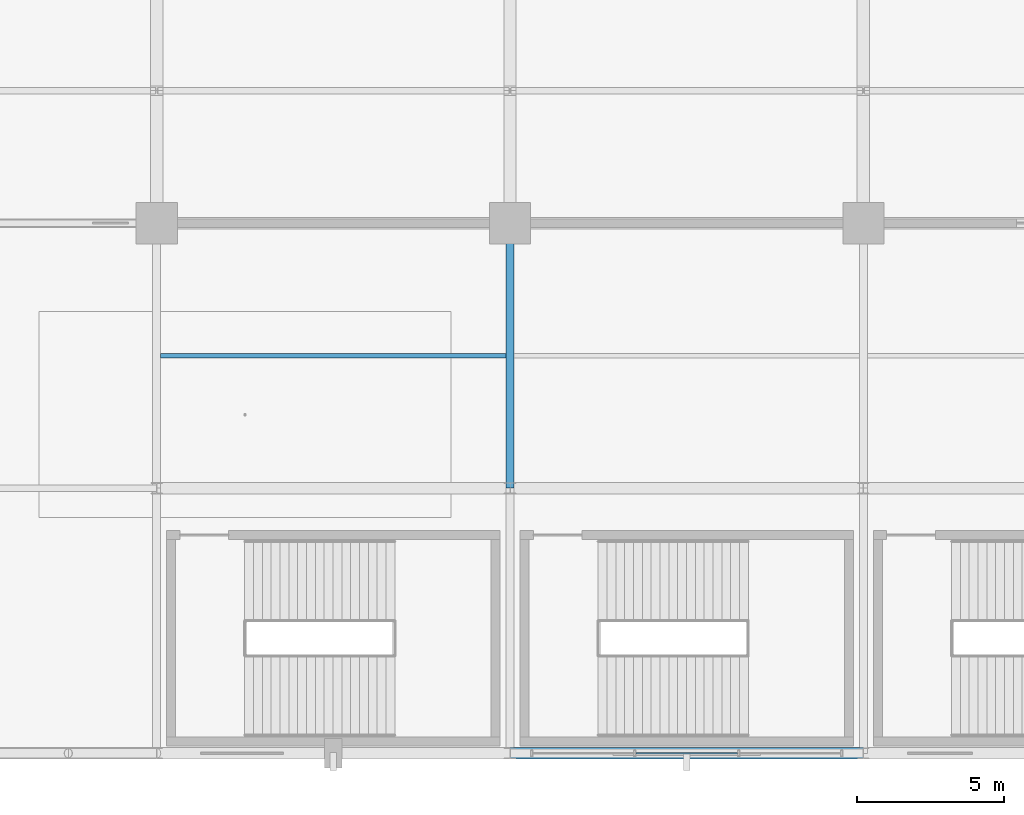
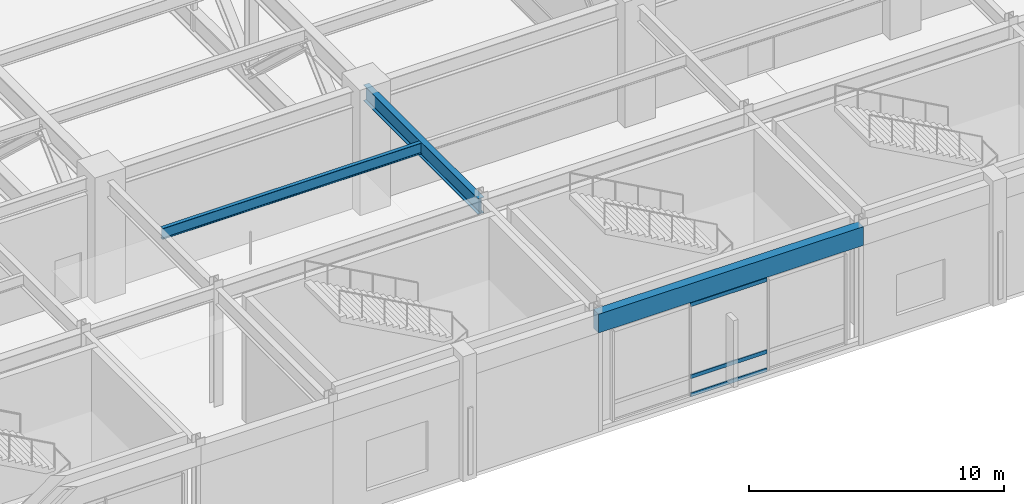
# One storey, part 23 of 108: 3 beams, 3 members, 1 element without a shape of its own.
"""IFC4 building model written with IfcOpenShell, lengths in metres."""

from ifc_helpers import new_model, si_unit, direction, frame, origin, origin_2d, place, context, subcontext, project, spatial, rectangle, hollow_rectangle, i_section, extrude, material, material_profile, profile_set, type_object, element, aggregate, save


model = new_model("IFC4")

# Units and contexts
model_context = context("Model", 3, precision=1e-05, world=origin(), true_north=direction((0.0, 1.0)))
body_context = subcontext(model_context, "Body", "Model", "MODEL_VIEW")
ifc_project = project(units=[si_unit("LENGTHUNIT", "METRE"), si_unit("AREAUNIT", "SQUARE_METRE"), si_unit("VOLUMEUNIT", "CUBIC_METRE"), si_unit("PLANEANGLEUNIT", "RADIAN"), si_unit("MASSUNIT", "GRAM", prefix="KILO")], contexts=[model_context])

# Site, building, storey
site_placement = place(None, origin())
site = spatial("IfcSite", under=ifc_project, at=site_placement, CompositionType="ELEMENT")
building_placement = place(site_placement, origin())
building = spatial("IfcBuilding", under=site, at=building_placement, Name="Kaldorvane Square Convention Centre", CompositionType="ELEMENT")
storey_placement = place(building_placement, frame((0.0, 0.0, 12.0)))
storey = spatial("IfcBuildingStorey", under=building, at=storey_placement, Name="L02", CompositionType="ELEMENT", Elevation=12.0)

# Beams
ifc_material_1 = material(Name="Steel ASTM A992 Gr. 50", Category="steel")
ifc_material_profile_1 = material_profile(ifc_material_1, i_section(OverallWidth=0.2666015625, OverallDepth=0.762298583984375, WebThickness=0.014404296875, FlangeThickness=0.0216064453125, FilletRadius=0.0164947509765625, at=origin_2d()), Name="W30X116")
ifc_profile_set_1 = profile_set([ifc_material_profile_1], Name="Steel ASTM A992 Gr. 50")
beam_type_1 = type_object("IfcBeamType", Name="BM-GR-W30X116", PredefinedType="BEAM", material=ifc_profile_set_1)
beam_1_placement = place(storey_placement, frame((42.0, 9.0, 5.264801025390625), z_axis=(0.0, 1.0, 0.0), x_axis=(-1.0, 0.0, 0.0)))
element("IfcBeam", 1, at=beam_1_placement, inside=storey, type_object=beam_type_1, Name="Transverse Girder (L02)", PredefinedType="BEAM", context=body_context, shape_type="SweptSolid", body=[
    extrude(i_section(OverallWidth=0.2666015625, OverallDepth=0.762298583984375, WebThickness=0.014404296875, FlangeThickness=0.0216064453125, FilletRadius=0.0164947509765625, at=origin_2d()), origin(), (0.0, 0.0, 1.0), 9.0),
])
ifc_material_profile_2 = material_profile(ifc_material_1, i_section(OverallWidth=0.1658935546875, OverallDepth=0.5290985107421875, WebThickness=0.00970458984375, FlangeThickness=0.0135955810546875, FilletRadius=0.0126953125, at=origin_2d()), Name="W21X50")
ifc_profile_set_2 = profile_set([ifc_material_profile_2], Name="Steel ASTM A992 Gr. 50")
beam_type_2 = type_object("IfcBeamType", Name="BM-JS-W21X50", PredefinedType="JOIST", material=ifc_profile_set_2)
beam_2_placement = place(storey_placement, frame((30.13330078125, 13.5, 5.3813934326171875), z_axis=(1.0, 0.0, 0.0), x_axis=(0.0, 1.0, 0.0)))
element("IfcBeam", 2, at=beam_2_placement, inside=storey, type_object=beam_type_2, Name="Secondary Floor Joist (L02)", PredefinedType="JOIST", context=body_context, shape_type="SweptSolid", body=[
    extrude(i_section(OverallWidth=0.1658935546875, OverallDepth=0.5290985107421875, WebThickness=0.00970458984375, FlangeThickness=0.0135955810546875, FilletRadius=0.0126953125, at=origin_2d()), origin(), (0.0, 0.0, 1.0), 11.7333984375),
])
ifc_material_2 = material(Name="Concrete f'c = 42 MPa (Normalweight)", Category="concrete")
ifc_material_profile_3 = material_profile(ifc_material_2, rectangle(XDim=0.399993896484375, YDim=0.899993896484375, at=origin_2d()), Name="RCSP900X400")
ifc_profile_set_3 = profile_set([ifc_material_profile_3], Name="Concrete f'c = 42 MPa (Normalweight)")
beam_type_3 = type_object("IfcBeamType", Name="BM-SP-RC900", PredefinedType="SPANDREL", material=ifc_profile_set_3)
beam_3_placement = place(storey_placement, frame((42.0, 0.0, 5.1959991455078125), z_axis=(1.0, 0.0, 0.0), x_axis=(0.0, 1.0, 0.0)))
element("IfcBeam", 3, at=beam_3_placement, inside=storey, type_object=beam_type_3, Name="Perimeter Spandrel (L02)", PredefinedType="SPANDREL", context=body_context, shape_type="SweptSolid", body=[
    extrude(rectangle(XDim=0.399993896484375, YDim=0.899993896484375, at=origin_2d()), origin(), (0.0, 0.0, 1.0), 12.0),
])

# Curtain wall, members
ifc_material_3 = material(Name="Anodized Aluminum and Low-E Insulated Glazing", Category="aluminium")
curtain_wall_type = type_object("IfcCurtainWallType", Name="CW-UNI-P60-12", PredefinedType="USERDEFINED", material=ifc_material_3)
curtain_wall_placement = place(storey_placement, origin())
curtain_wall = element("IfcCurtainWall", 4, at=curtain_wall_placement, inside=storey, type_object=curtain_wall_type, Name="Curtain Wall CW-01 (L02)", ObjectType="UNITISED GLAZING", PredefinedType="USERDEFINED")
ifc_material_profile_4 = material_profile(ifc_material_3, hollow_rectangle(XDim=0.06500244140625, YDim=0.17999267578125, WallThickness=0.0034942626953125, at=origin_2d()), Name="CWT-180X65")
ifc_profile_set_4 = profile_set([ifc_material_profile_4], Name="Anodized Aluminum and Low-E Insulated Glazing")
member_type = type_object("IfcMemberType", Name="CW-TRN-180", PredefinedType="USERDEFINED", material=ifc_profile_set_4)
member_1_placement = place(storey_placement, frame((46.27082824707031, 0.0, 0.1824951171875), z_axis=(1.0, 0.0, 0.0), x_axis=(0.0, 1.0, 0.0)))
member_1 = element("IfcMember", 5, at=member_1_placement, type_object=member_type, Name="CW-01 transom 2.1", ObjectType="TRANSOM", PredefinedType="USERDEFINED", context=body_context, shape_type="SweptSolid", body=[
    extrude(hollow_rectangle(XDim=0.06500244140625, YDim=0.17999267578125, WallThickness=0.0034942626953125, at=origin_2d()), origin(), (0.0, 0.0, 1.0), 3.458343505859375),
])
member_2_placement = place(storey_placement, frame((46.27082824707031, 0.0, 1.0500030517578125), z_axis=(1.0, 0.0, 0.0), x_axis=(0.0, 1.0, 0.0)))
member_2 = element("IfcMember", 6, at=member_2_placement, type_object=member_type, Name="CW-01 transom 2.2", ObjectType="TRANSOM", PredefinedType="USERDEFINED", context=body_context, shape_type="SweptSolid", body=[
    extrude(hollow_rectangle(XDim=0.06500244140625, YDim=0.17999267578125, WallThickness=0.0034942626953125, at=origin_2d()), origin(), (0.0, 0.0, 1.0), 3.458343505859375),
])
member_3_placement = place(storey_placement, frame((46.27082824707031, 0.0, 4.49749755859375), z_axis=(1.0, 0.0, 0.0), x_axis=(0.0, 1.0, 0.0)))
member_3 = element("IfcMember", 7, at=member_3_placement, type_object=member_type, Name="CW-01 transom 2.3", ObjectType="TRANSOM", PredefinedType="USERDEFINED", context=body_context, shape_type="SweptSolid", body=[
    extrude(hollow_rectangle(XDim=0.06500244140625, YDim=0.17999267578125, WallThickness=0.0034942626953125, at=origin_2d()), origin(), (0.0, 0.0, 1.0), 3.458343505859375),
])
aggregate(curtain_wall, [member_1, member_2, member_3])

save(model, "model.ifc")
